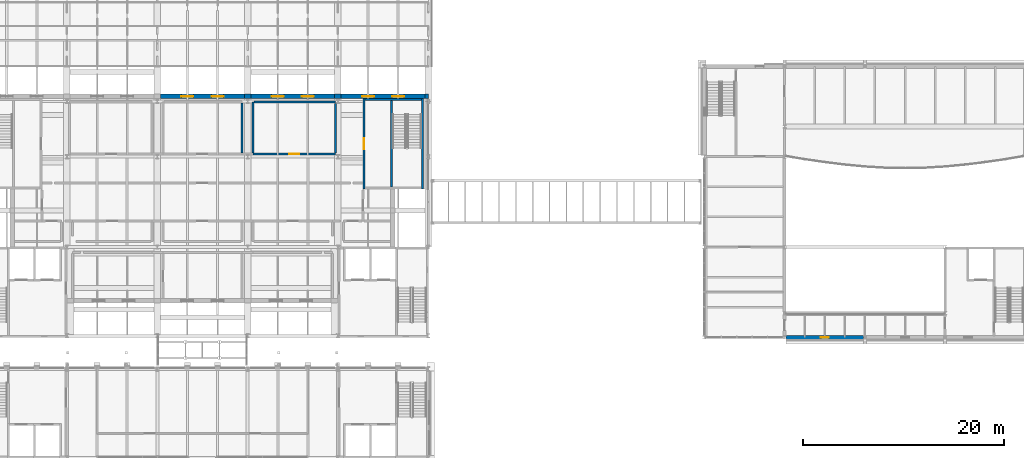
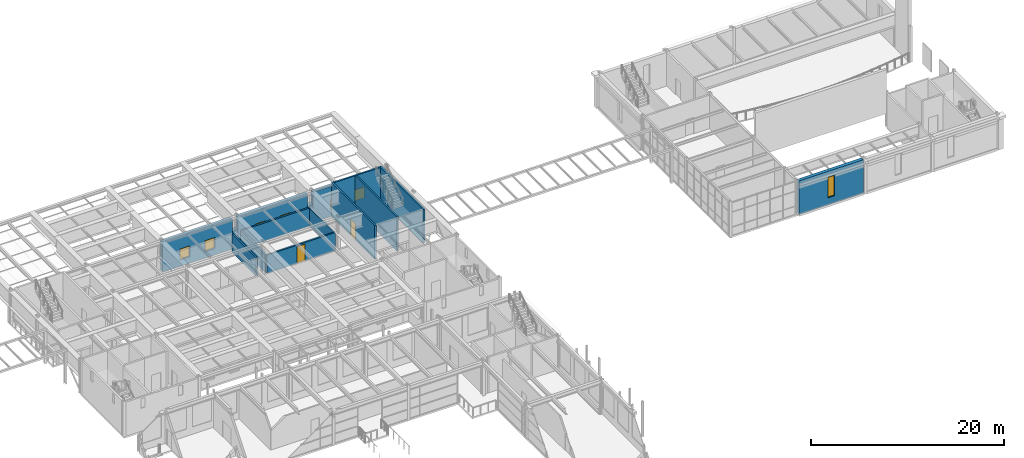
# One storey, part 107 of 153: 16 walls, 7 windows, 2 doors, 9 openings.
"""IFC4 building model written with IfcOpenShell, lengths in metres."""

from ifc_helpers import new_model, si_unit, direction, frame, frame_2d, origin, place, context, subcontext, project, spatial, rectangle, extrude, material, layer, layer_set, type_object, element, fill, save


model = new_model("IFC4")

# Units and contexts
model_context = context("Model", 3, precision=1e-05, world=origin(), true_north=direction((0.0, 1.0)))
body_context = subcontext(model_context, "Body", "Model", "MODEL_VIEW")
ifc_project = project(units=[si_unit("LENGTHUNIT", "METRE"), si_unit("AREAUNIT", "SQUARE_METRE"), si_unit("VOLUMEUNIT", "CUBIC_METRE"), si_unit("PLANEANGLEUNIT", "RADIAN"), si_unit("MASSUNIT", "GRAM", prefix="KILO")], contexts=[model_context])

# Site, building, storey
site_placement = place(None, origin())
site = spatial("IfcSite", under=ifc_project, at=site_placement, CompositionType="ELEMENT")
building_placement = place(site_placement, origin())
building = spatial("IfcBuilding", under=site, at=building_placement, Name="Kallimachos Central Library", CompositionType="ELEMENT")
storey_placement = place(building_placement, frame((0.0, 0.0, 5.39990234375)))
storey = spatial("IfcBuildingStorey", under=building, at=storey_placement, Name="L01", CompositionType="ELEMENT", Elevation=5.39990234375)

# Wall, opening, door
ifc_material_1 = material(Name="Concrete C30/37", Category="concrete")
ifc_layer_1 = layer(ifc_material_1, 0.199951171875)
ifc_layer_set_1 = layer_set([ifc_layer_1], Name="Core wall 200")
wall_type_1 = type_object("IfcWallType", Name="Core wall 200", PredefinedType="SOLIDWALL", material=ifc_layer_set_1)
wall_1_placement = place(storey_placement, frame((104.10009765625, 101.77490234375, 0.0), z_axis=(0.0, 0.0, 1.0), x_axis=(0.0, 1.0, 0.0)))
wall_1 = element("IfcWall", 1, at=wall_1_placement, inside=storey, type_object=wall_type_1, Name="Core wall V1-NE W", PredefinedType="SOLIDWALL", context=body_context, shape_type="SweptSolid", body=[
    extrude(rectangle(XDim=9.0, YDim=0.199951171875, at=frame_2d((4.5, 0.0))), origin(), (0.0, 0.0, 1.0), 4.300048828125),
])
opening_1_placement = place(wall_1_placement, frame((3.949951171875, 0.0, 0.0)))
opening_1 = element("IfcOpeningElement", 2, at=opening_1_placement, cuts=wall_1, Name="Opening D239", PredefinedType="OPENING", context=body_context, shape_type="SweptSolid", body=[
    extrude(rectangle(XDim=1.10009765625, YDim=2.10009765625, at=frame_2d((0.550048828125, 1.050048828125))), frame((0.0, 0.10986328125, 0.0), z_axis=(0.0, -1.0, 0.0), x_axis=(1.0, 0.0, 0.0)), (0.0, 0.0, 1.0), 0.219970703125),
])
ifc_material_2 = material(Name="Steel fire door", Category="steel")
door_type_1 = type_object("IfcDoorType", Name="Fire door EI2 90 1100 x 2100", OperationType="NOTDEFINED", PredefinedType="DOOR", material=ifc_material_2)
door_1_placement = place(opening_1_placement, frame((1.10009765625, 0.0, 0.0), z_axis=(0.0, 0.0, 1.0), x_axis=(-1.0, 0.0, 0.0)))
door_1 = element("IfcDoor", 3, at=door_1_placement, inside=storey, type_object=door_type_1, Name="V1-DOR-L01-008", OperationType="SINGLE_SWING_LEFT", OverallHeight=2.10009765625, OverallWidth=1.10009765625, PredefinedType="DOOR", context=body_context, shape_type="SweptSolid", body=[
    extrude(rectangle(XDim=1.10009765625, YDim=2.10009765625, at=frame_2d((0.550048828125, 1.050048828125))), frame((0.0, 0.02490234375, 0.0), z_axis=(0.0, -1.0, 0.0), x_axis=(1.0, 0.0, 0.0)), (0.0, 0.0, 1.0), 0.050048828125),
])
fill(opening_1, door_1)

# Walls
wall_2_placement = place(storey_placement, frame((109.89990234375, 101.77490234375, 0.0), z_axis=(0.0, 0.0, 1.0), x_axis=(0.0, 1.0, 0.0)))
element("IfcWall", 4, at=wall_2_placement, inside=storey, type_object=wall_type_1, Name="Core wall V1-NE E", PredefinedType="SOLIDWALL", context=body_context, shape_type="SweptSolid", body=[
    extrude(rectangle(XDim=9.0, YDim=0.199951171875, at=frame_2d((4.5, 0.0))), origin(), (0.0, 0.0, 1.0), 4.300048828125),
])
wall_3_placement = place(storey_placement, frame((104.199951171875, 110.675048828125, 0.0), z_axis=(0.0, 0.0, 1.0), x_axis=(1.0, 0.0, 0.0)))
element("IfcWall", 5, at=wall_3_placement, inside=storey, type_object=wall_type_1, Name="Core wall V1-NE N", PredefinedType="SOLIDWALL", context=body_context, shape_type="SweptSolid", body=[
    extrude(rectangle(XDim=5.60009765625, YDim=0.199951171875, at=frame_2d((2.800048828125, 0.0))), origin(), (0.0, 0.0, 1.0), 4.300048828125),
])
wall_4_placement = place(storey_placement, frame((106.85009765625, 101.97509765625, 0.0), z_axis=(0.0, 0.0, 1.0), x_axis=(0.0, 1.0, 0.0)))
element("IfcWall", 6, at=wall_4_placement, inside=storey, type_object=wall_type_1, Name="Stair wall V1-NE", PredefinedType="SOLIDWALL", context=body_context, shape_type="SweptSolid", body=[
    extrude(rectangle(XDim=8.599853515625, YDim=0.199951171875, at=frame_2d((4.2998046875, 0.0))), origin(), (0.0, 0.0, 1.0), 4.300048828125),
])

# Wall, opening, door
ifc_material_3 = material(Name="Blockwork wall", Category="masonry")
ifc_layer_2 = layer(ifc_material_3, 0.199951171875)
ifc_layer_set_2 = layer_set([ifc_layer_2], Name="Plant room wall 200")
wall_type_2 = type_object("IfcWallType", Name="Plant room wall 200", PredefinedType="SOLIDWALL", material=ifc_layer_set_2)
wall_5_placement = place(storey_placement, frame((93.050048828125, 105.2900390625, 0.0), z_axis=(0.0, 0.0, 1.0), x_axis=(1.0, 0.0, 0.0)))
wall_5 = element("IfcWall", 7, at=wall_5_placement, inside=storey, type_object=wall_type_2, Name="Plant room wall", PredefinedType="SOLIDWALL", context=body_context, shape_type="SweptSolid", body=[
    extrude(rectangle(XDim=8.199951171875, YDim=0.199951171875, at=frame_2d((4.10009765625, 0.0))), origin(), (0.0, 0.0, 1.0), 2.300048828125),
])
opening_2_placement = place(wall_5_placement, frame((3.60009765625, 0.0, 0.0)))
opening_2 = element("IfcOpeningElement", 8, at=opening_2_placement, cuts=wall_5, Name="Opening D261", PredefinedType="OPENING", context=body_context, shape_type="SweptSolid", body=[
    extrude(rectangle(XDim=1.0, YDim=2.10009765625, at=frame_2d((0.5, 1.050048828125))), frame((0.0, 0.10986328125, 0.0), z_axis=(0.0, -1.0, 0.0), x_axis=(1.0, 0.0, 0.0)), (0.0, 0.0, 1.0), 0.219970703125),
])
ifc_material_4 = material(Name="Steel fire door", Category="steel")
door_type_2 = type_object("IfcDoorType", Name="Fire door EI2 90 1000 x 2100", OperationType="NOTDEFINED", PredefinedType="DOOR", material=ifc_material_4)
door_2_placement = place(opening_2_placement, origin())
door_2 = element("IfcDoor", 9, at=door_2_placement, inside=storey, type_object=door_type_2, Name="V1-DOR-L01-018", OperationType="SINGLE_SWING_RIGHT", OverallHeight=2.10009765625, OverallWidth=1.0, PredefinedType="DOOR", context=body_context, shape_type="SweptSolid", body=[
    extrude(rectangle(XDim=1.0, YDim=2.10009765625, at=frame_2d((0.5, 1.050048828125))), frame((0.0, 0.02490234375, 0.0), z_axis=(0.0, -1.0, 0.0), x_axis=(1.0, 0.0, 0.0)), (0.0, 0.0, 1.0), 0.050048828125),
])
fill(opening_2, door_2)

# Walls
wall_6_placement = place(storey_placement, frame((101.25, 105.389892578125, 0.0), z_axis=(0.0, 0.0, 1.0), x_axis=(0.0, 1.0, 0.0)))
element("IfcWall", 10, at=wall_6_placement, inside=storey, type_object=wall_type_2, Name="Plant room wall", PredefinedType="SOLIDWALL", context=body_context, shape_type="SweptSolid", body=[
    extrude(rectangle(XDim=4.921630859375, YDim=0.199951171875, at=frame_2d((2.4609375, 0.0))), origin(), (0.0, 0.0, 1.0), 2.300048828125),
])
wall_7_placement = place(storey_placement, frame((91.949951171875, 110.35009765625, 0.0), z_axis=(0.0, 0.0, 1.0), x_axis=(0.0, -1.0, 0.0)))
element("IfcWall", 11, at=wall_7_placement, inside=storey, type_object=wall_type_2, Name="Plant room wall", PredefinedType="SOLIDWALL", context=body_context, shape_type="SweptSolid", body=[
    extrude(rectangle(XDim=4.960205078125, YDim=0.199951171875, at=frame_2d((2.47998046875, 0.0))), origin(), (0.0, 0.0, 1.0), 2.300048828125),
])
wall_8_placement = place(storey_placement, frame((93.050048828125, 105.389892578125, 0.0), z_axis=(0.0, 0.0, 1.0), x_axis=(0.0, 1.0, 0.0)))
element("IfcWall", 12, at=wall_8_placement, inside=storey, type_object=wall_type_2, Name="Plant room wall", PredefinedType="SOLIDWALL", context=body_context, shape_type="SweptSolid", body=[
    extrude(rectangle(XDim=5.06005859375, YDim=0.199951171875, at=frame_2d((2.530029296875, 0.0))), origin(), (0.0, 0.0, 1.0), 2.300048828125),
])
wall_9_placement = place(storey_placement, frame((93.14990234375, 110.449951171875, 0.0), z_axis=(0.0, 0.0, 1.0), x_axis=(1.0, 0.0, 0.0)))
element("IfcWall", 13, at=wall_9_placement, inside=storey, type_object=wall_type_2, Name="Plant room wall", PredefinedType="SOLIDWALL", context=body_context, shape_type="SweptSolid", body=[
    extrude(rectangle(XDim=8.10009765625, YDim=0.199951171875, at=frame_2d((4.050048828125, 0.0))), origin(), (0.0, 0.0, 1.0), 2.300048828125),
])

# Wall, openings, windows
ifc_material_5 = material(Name="Pentelic marble cladding on blockwork", Category="masonry")
ifc_layer_3 = layer(ifc_material_5, 0.449951171875)
ifc_layer_set_3 = layer_set([ifc_layer_3], Name="Stone-clad external wall 450")
wall_type_3 = type_object("IfcWallType", Name="Stone-clad external wall 450", PredefinedType="SOLIDWALL", material=ifc_layer_set_3)
wall_10_placement = place(storey_placement, frame((83.824951171875, 111.0, 0.0), z_axis=(0.0, 0.0, 1.0), x_axis=(1.0, 0.0, 0.0)))
wall_10 = element("IfcWall", 14, at=wall_10_placement, inside=storey, type_object=wall_type_3, Name="Stone base wall N L01", PredefinedType="SOLIDWALL", context=body_context, shape_type="SweptSolid", body=[
    extrude(rectangle(XDim=8.35009765625, YDim=0.449951171875, at=frame_2d((4.175048828125, 0.0))), origin(), (0.0, 0.0, 1.0), 3.800048828125),
])
opening_3_placement = place(wall_10_placement, frame((2.074951171875, 0.0, 0.800048828125)))
opening_3 = element("IfcOpeningElement", 15, at=opening_3_placement, cuts=wall_10, Name="Opening W55", PredefinedType="OPENING", context=body_context, shape_type="SweptSolid", body=[
    extrude(rectangle(XDim=1.199951171875, YDim=1.39990234375, at=frame_2d((0.60009765625, 0.699951171875))), frame((0.0, 0.23486328125, 0.0), z_axis=(0.0, -1.0, 0.0), x_axis=(1.0, 0.0, 0.0)), (0.0, 0.0, 1.0), 0.469970703125),
])
opening_4_placement = place(wall_10_placement, frame((5.074951171875, 0.0, 0.800048828125)))
opening_4 = element("IfcOpeningElement", 16, at=opening_4_placement, cuts=wall_10, Name="Opening W56", PredefinedType="OPENING", context=body_context, shape_type="SweptSolid", body=[
    extrude(rectangle(XDim=1.199951171875, YDim=1.39990234375, at=frame_2d((0.60009765625, 0.699951171875))), frame((0.0, 0.23486328125, 0.0), z_axis=(0.0, -1.0, 0.0), x_axis=(1.0, 0.0, 0.0)), (0.0, 0.0, 1.0), 0.469970703125),
])
ifc_material_6 = material(Name="Anodised aluminium louvre", Category="aluminium")
window_type_1 = type_object("IfcWindowType", Name="Plant louvre 1200x1400", PartitioningType="SINGLE_PANEL", PredefinedType="WINDOW", material=ifc_material_6)
window_1_placement = place(opening_3_placement, origin())
window_1 = element("IfcWindow", 17, at=window_1_placement, inside=storey, type_object=window_type_1, Name="V1-WIN-L01-011", OverallHeight=1.39990234375, OverallWidth=1.199951171875, PartitioningType="SINGLE_PANEL", PredefinedType="WINDOW", context=body_context, shape_type="SweptSolid", body=[
    extrude(rectangle(XDim=1.199951171875, YDim=1.39990234375, at=frame_2d((0.60009765625, 0.699951171875))), frame((0.0, 0.030029296875, 0.0), z_axis=(0.0, -1.0, 0.0), x_axis=(1.0, 0.0, 0.0)), (0.0, 0.0, 1.0), 0.06005859375),
])
fill(opening_3, window_1)
window_2_placement = place(opening_4_placement, origin())
window_2 = element("IfcWindow", 18, at=window_2_placement, inside=storey, type_object=window_type_1, Name="V1-WIN-L01-012", OverallHeight=1.39990234375, OverallWidth=1.199951171875, PartitioningType="SINGLE_PANEL", PredefinedType="WINDOW", context=body_context, shape_type="SweptSolid", body=[
    extrude(rectangle(XDim=1.199951171875, YDim=1.39990234375, at=frame_2d((0.60009765625, 0.699951171875))), frame((0.0, 0.030029296875, 0.0), z_axis=(0.0, -1.0, 0.0), x_axis=(1.0, 0.0, 0.0)), (0.0, 0.0, 1.0), 0.06005859375),
])
fill(opening_4, window_2)

# Wall
wall_11_placement = place(storey_placement, frame((92.175048828125, 111.0, 0.0), z_axis=(0.0, 0.0, 1.0), x_axis=(1.0, 0.0, 0.0)))
element("IfcWall", 19, at=wall_11_placement, inside=storey, type_object=wall_type_3, Name="Stone base wall N L01", PredefinedType="SOLIDWALL", context=body_context, shape_type="SweptSolid", body=[
    extrude(rectangle(XDim=0.64990234375, YDim=0.449951171875, at=frame_2d((0.324951171875, 0.0))), origin(), (0.0, 0.0, 1.0), 2.300048828125),
])

# Wall, openings, windows
wall_12_placement = place(storey_placement, frame((92.824951171875, 111.0, 0.0), z_axis=(0.0, 0.0, 1.0), x_axis=(1.0, 0.0, 0.0)))
wall_12 = element("IfcWall", 20, at=wall_12_placement, inside=storey, type_object=wall_type_3, Name="Stone base wall N L01", PredefinedType="SOLIDWALL", context=body_context, shape_type="SweptSolid", body=[
    extrude(rectangle(XDim=8.35009765625, YDim=0.449951171875, at=frame_2d((4.175048828125, 0.0))), origin(), (0.0, 0.0, 1.0), 3.800048828125),
])
opening_5_placement = place(wall_12_placement, frame((2.074951171875, 0.0, 0.800048828125)))
opening_5 = element("IfcOpeningElement", 21, at=opening_5_placement, cuts=wall_12, Name="Opening W57", PredefinedType="OPENING", context=body_context, shape_type="SweptSolid", body=[
    extrude(rectangle(XDim=1.199951171875, YDim=1.39990234375, at=frame_2d((0.60009765625, 0.699951171875))), frame((0.0, 0.23486328125, 0.0), z_axis=(0.0, -1.0, 0.0), x_axis=(1.0, 0.0, 0.0)), (0.0, 0.0, 1.0), 0.469970703125),
])
opening_6_placement = place(wall_12_placement, frame((5.074951171875, 0.0, 0.800048828125)))
opening_6 = element("IfcOpeningElement", 22, at=opening_6_placement, cuts=wall_12, Name="Opening W58", PredefinedType="OPENING", context=body_context, shape_type="SweptSolid", body=[
    extrude(rectangle(XDim=1.199951171875, YDim=1.39990234375, at=frame_2d((0.60009765625, 0.699951171875))), frame((0.0, 0.23486328125, 0.0), z_axis=(0.0, -1.0, 0.0), x_axis=(1.0, 0.0, 0.0)), (0.0, 0.0, 1.0), 0.469970703125),
])
window_3_placement = place(opening_5_placement, origin())
window_3 = element("IfcWindow", 23, at=window_3_placement, inside=storey, type_object=window_type_1, Name="V1-WIN-L01-013", OverallHeight=1.39990234375, OverallWidth=1.199951171875, PartitioningType="SINGLE_PANEL", PredefinedType="WINDOW", context=body_context, shape_type="SweptSolid", body=[
    extrude(rectangle(XDim=1.199951171875, YDim=1.39990234375, at=frame_2d((0.60009765625, 0.699951171875))), frame((0.0, 0.030029296875, 0.0), z_axis=(0.0, -1.0, 0.0), x_axis=(1.0, 0.0, 0.0)), (0.0, 0.0, 1.0), 0.06005859375),
])
fill(opening_5, window_3)
window_4_placement = place(opening_6_placement, origin())
window_4 = element("IfcWindow", 24, at=window_4_placement, inside=storey, type_object=window_type_1, Name="V1-WIN-L01-014", OverallHeight=1.39990234375, OverallWidth=1.199951171875, PartitioningType="SINGLE_PANEL", PredefinedType="WINDOW", context=body_context, shape_type="SweptSolid", body=[
    extrude(rectangle(XDim=1.199951171875, YDim=1.39990234375, at=frame_2d((0.60009765625, 0.699951171875))), frame((0.0, 0.030029296875, 0.0), z_axis=(0.0, -1.0, 0.0), x_axis=(1.0, 0.0, 0.0)), (0.0, 0.0, 1.0), 0.06005859375),
])
fill(opening_6, window_4)

# Wall
wall_13_placement = place(storey_placement, frame((101.175048828125, 111.0, 0.0), z_axis=(0.0, 0.0, 1.0), x_axis=(1.0, 0.0, 0.0)))
element("IfcWall", 25, at=wall_13_placement, inside=storey, type_object=wall_type_3, Name="Stone base wall N L01", PredefinedType="SOLIDWALL", context=body_context, shape_type="SweptSolid", body=[
    extrude(rectangle(XDim=0.64990234375, YDim=0.449951171875, at=frame_2d((0.324951171875, 0.0))), origin(), (0.0, 0.0, 1.0), 2.300048828125),
])

# Wall, openings, windows
wall_14_placement = place(storey_placement, frame((101.824951171875, 111.0, 0.0), z_axis=(0.0, 0.0, 1.0), x_axis=(1.0, 0.0, 0.0)))
wall_14 = element("IfcWall", 26, at=wall_14_placement, inside=storey, type_object=wall_type_3, Name="Stone base wall N L01", PredefinedType="SOLIDWALL", context=body_context, shape_type="SweptSolid", body=[
    extrude(rectangle(XDim=8.35009765625, YDim=0.449951171875, at=frame_2d((4.175048828125, 0.0))), origin(), (0.0, 0.0, 1.0), 3.800048828125),
])
opening_7_placement = place(wall_14_placement, frame((2.074951171875, 0.0, 0.800048828125)))
opening_7 = element("IfcOpeningElement", 27, at=opening_7_placement, cuts=wall_14, Name="Opening W59", PredefinedType="OPENING", context=body_context, shape_type="SweptSolid", body=[
    extrude(rectangle(XDim=1.199951171875, YDim=1.39990234375, at=frame_2d((0.60009765625, 0.699951171875))), frame((0.0, 0.23486328125, 0.0), z_axis=(0.0, -1.0, 0.0), x_axis=(1.0, 0.0, 0.0)), (0.0, 0.0, 1.0), 0.469970703125),
])
opening_8_placement = place(wall_14_placement, frame((5.074951171875, 0.0, 0.800048828125)))
opening_8 = element("IfcOpeningElement", 28, at=opening_8_placement, cuts=wall_14, Name="Opening W60", PredefinedType="OPENING", context=body_context, shape_type="SweptSolid", body=[
    extrude(rectangle(XDim=1.199951171875, YDim=1.39990234375, at=frame_2d((0.60009765625, 0.699951171875))), frame((0.0, 0.23486328125, 0.0), z_axis=(0.0, -1.0, 0.0), x_axis=(1.0, 0.0, 0.0)), (0.0, 0.0, 1.0), 0.469970703125),
])
window_5_placement = place(opening_7_placement, origin())
window_5 = element("IfcWindow", 29, at=window_5_placement, inside=storey, type_object=window_type_1, Name="V1-WIN-L01-015", OverallHeight=1.39990234375, OverallWidth=1.199951171875, PartitioningType="SINGLE_PANEL", PredefinedType="WINDOW", context=body_context, shape_type="SweptSolid", body=[
    extrude(rectangle(XDim=1.199951171875, YDim=1.39990234375, at=frame_2d((0.60009765625, 0.699951171875))), frame((0.0, 0.030029296875, 0.0), z_axis=(0.0, -1.0, 0.0), x_axis=(1.0, 0.0, 0.0)), (0.0, 0.0, 1.0), 0.06005859375),
])
fill(opening_7, window_5)
window_6_placement = place(opening_8_placement, origin())
window_6 = element("IfcWindow", 30, at=window_6_placement, inside=storey, type_object=window_type_1, Name="V1-WIN-L01-016", OverallHeight=1.39990234375, OverallWidth=1.199951171875, PartitioningType="SINGLE_PANEL", PredefinedType="WINDOW", context=body_context, shape_type="SweptSolid", body=[
    extrude(rectangle(XDim=1.199951171875, YDim=1.39990234375, at=frame_2d((0.60009765625, 0.699951171875))), frame((0.0, 0.030029296875, 0.0), z_axis=(0.0, -1.0, 0.0), x_axis=(1.0, 0.0, 0.0)), (0.0, 0.0, 1.0), 0.06005859375),
])
fill(opening_8, window_6)

# Wall
wall_15_placement = place(storey_placement, frame((110.175048828125, 111.0, 0.0), z_axis=(0.0, 0.0, 1.0), x_axis=(1.0, 0.0, 0.0)))
element("IfcWall", 31, at=wall_15_placement, inside=storey, type_object=wall_type_3, Name="Stone base wall N L01", PredefinedType="SOLIDWALL", context=body_context, shape_type="SweptSolid", body=[
    extrude(rectangle(XDim=0.324951171875, YDim=0.449951171875, at=frame_2d((0.16259765625, 0.0))), origin(), (0.0, 0.0, 1.0), 2.300048828125),
])

# Wall, opening, window
ifc_material_7 = material(Name="Concrete C30/37", Category="concrete")
ifc_layer_4 = layer(ifc_material_7, 0.39990234375)
ifc_layer_set_4 = layer_set([ifc_layer_4], Name="Stone-clad wall 400")
wall_type_4 = type_object("IfcWallType", Name="Stone-clad wall 400", PredefinedType="SOLIDWALL", material=ifc_layer_set_4)
wall_16_placement = place(storey_placement, frame((146.14990234375, 87.0, 0.0), z_axis=(0.0, 0.0, 1.0), x_axis=(1.0, 0.0, 0.0)))
wall_16 = element("IfcWall", 32, at=wall_16_placement, inside=storey, type_object=wall_type_4, Name="V3-WAL-L01-005", PredefinedType="SOLIDWALL", context=body_context, shape_type="SweptSolid", body=[
    extrude(rectangle(XDim=7.7001953125, YDim=0.39990234375, at=frame_2d((3.85009765625, 0.0))), origin(), (0.0, 0.0, 1.0), 4.25),
])
opening_9_placement = place(wall_16_placement, frame((3.449951171875, 0.0, 0.89990234375)))
opening_9 = element("IfcOpeningElement", 33, at=opening_9_placement, cuts=wall_16, Name="Opening W79", PredefinedType="OPENING", context=body_context, shape_type="SweptSolid", body=[
    extrude(rectangle(XDim=0.800048828125, YDim=2.60009765625, at=frame_2d((0.39990234375, 1.300048828125))), frame((0.0, 0.2099609375, 0.0), z_axis=(0.0, -1.0, 0.0), x_axis=(1.0, 0.0, 0.0)), (0.0, 0.0, 1.0), 0.419921875),
])
ifc_material_8 = material(Name="Anodised aluminium and laminated glass", Category="aluminium")
window_type_2 = type_object("IfcWindowType", Name="Slot window 800 x 2600", PartitioningType="SINGLE_PANEL", PredefinedType="WINDOW", material=ifc_material_8)
window_7_placement = place(opening_9_placement, origin())
window_7 = element("IfcWindow", 34, at=window_7_placement, inside=storey, type_object=window_type_2, Name="V3-WIN-L01-003", OverallHeight=2.60009765625, OverallWidth=0.800048828125, PartitioningType="SINGLE_PANEL", PredefinedType="WINDOW", context=body_context, shape_type="SweptSolid", body=[
    extrude(rectangle(XDim=0.800048828125, YDim=2.60009765625, at=frame_2d((0.39990234375, 1.300048828125))), frame((0.0, 0.030029296875, 0.0), z_axis=(0.0, -1.0, 0.0), x_axis=(1.0, 0.0, 0.0)), (0.0, 0.0, 1.0), 0.06005859375),
])
fill(opening_9, window_7)

save(model, "model.ifc")
